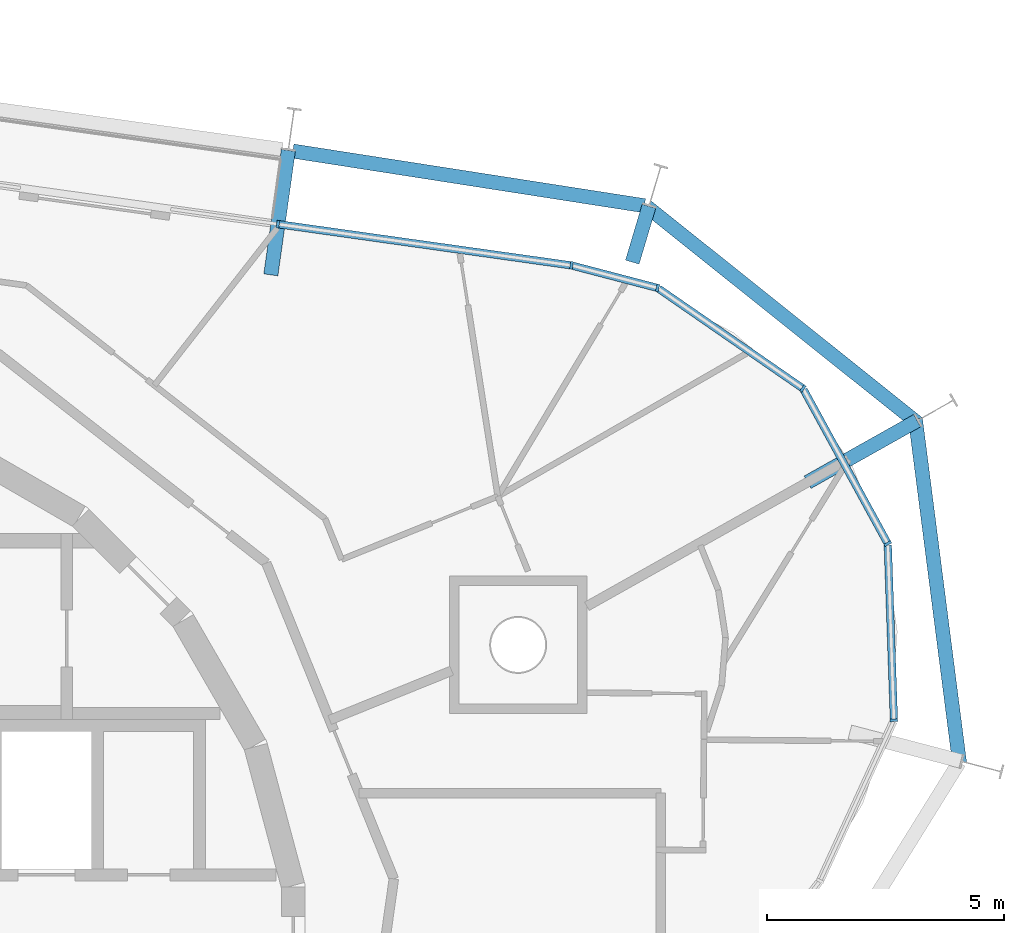
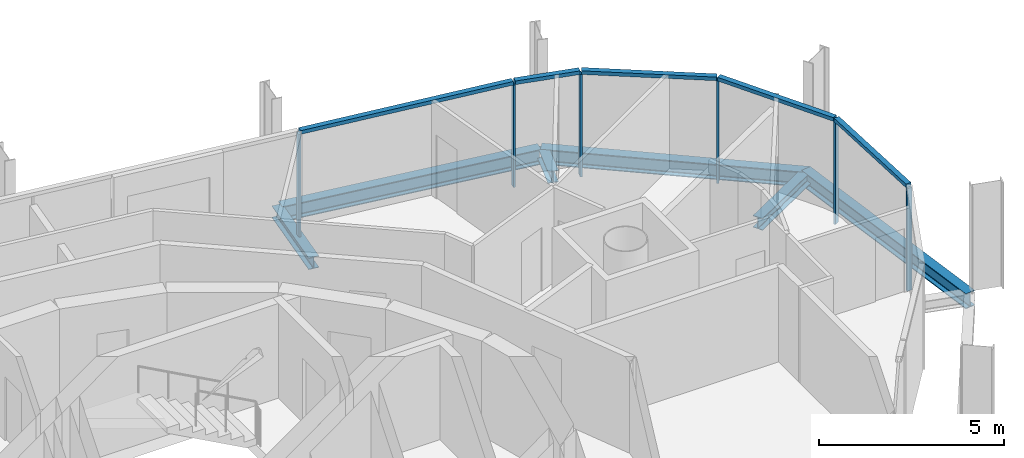
# One storey, part 7 of 15: 11 members, 6 beams, 2 elements without a shape of their own.
"""IFC4 building model written with IfcOpenShell, lengths in metres."""

from ifc_helpers import new_model, si_unit, direction, frame, origin, origin_2d, place, context, subcontext, project, spatial, rectangle, i_section, extrude, material, layer, layer_set, material_profile, profile_set, type_object, element, aggregate, save


model = new_model("IFC4")

# Units and contexts
model_context = context("Model", 3, precision=1e-05, world=origin(), true_north=direction((0.0, 1.0)))
body_context = subcontext(model_context, "Body", "Model", "MODEL_VIEW")
ifc_project = project(units=[si_unit("LENGTHUNIT", "METRE"), si_unit("AREAUNIT", "SQUARE_METRE"), si_unit("VOLUMEUNIT", "CUBIC_METRE"), si_unit("PLANEANGLEUNIT", "RADIAN"), si_unit("MASSUNIT", "GRAM", prefix="KILO")], contexts=[model_context])

# Site, building, storey
site_placement = place(None, origin())
site = spatial("IfcSite", under=ifc_project, at=site_placement, CompositionType="ELEMENT")
building_placement = place(site_placement, origin())
building = spatial("IfcBuilding", under=site, at=building_placement, Name="Spindle Arch Residences", CompositionType="ELEMENT")
storey_placement = place(building_placement, frame((0.0, 0.0, 343.5)))
storey = spatial("IfcBuildingStorey", under=building, at=storey_placement, Name="L88", CompositionType="ELEMENT", Elevation=343.5)

# Curtain wall, members
ifc_material_1 = material(Name="Aluminium bronze unitised frame with tinted glass", Category="aluminium")
ifc_layer_1 = layer(ifc_material_1, 0.159912109375)
ifc_layer_set_1 = layer_set([ifc_layer_1], Name="CW-D corner wall on the fillet arcs")
curtain_wall_type_1 = type_object("IfcCurtainWallType", Name="CW-D corner wall on the fillet arcs", PredefinedType="NOTDEFINED", material=ifc_layer_set_1)
curtain_wall_1_placement = place(storey_placement, origin())
curtain_wall_1 = element("IfcCurtainWall", 1, at=curtain_wall_1_placement, inside=storey, type_object=curtain_wall_type_1, Name="CW-D L88 run 1", PredefinedType="NOTDEFINED")
ifc_material_2 = material(Name="Aluminium bronze anodised mullion", Category="aluminium")
ifc_material_profile_1 = material_profile(ifc_material_2, rectangle(XDim=0.159912109375, YDim=0.06005859375, at=origin_2d()), Name="MU 60x160")
ifc_profile_set_1 = profile_set([ifc_material_profile_1], Name="Aluminium bronze anodised mullion")
member_type_1 = type_object("IfcMemberType", Name="Bronze mullion 60x160", PredefinedType="MULLION", material=ifc_profile_set_1)
member_1_placement = place(storey_placement, frame((24.31201171875, 5.033935546875, -0.3798828125), z_axis=(0.0, 0.0, 1.0), x_axis=(-0.999390827004, -0.034899497139, 0.0)))
member_1 = element("IfcMember", 2, at=member_1_placement, type_object=member_type_1, Name="CW-D mullion 02", PredefinedType="MULLION", context=body_context, shape_type="SweptSolid", body=[
    extrude(rectangle(XDim=0.159912109375, YDim=0.06005859375, at=origin_2d()), origin(), (0.0, 0.0, 1.0), 3.3798828125),
])
member_2_placement = place(storey_placement, frame((24.18212890625, 8.758544921875, -0.3798828125), z_axis=(0.0, 0.0, 1.0), x_axis=(-0.877425397533, -0.479713114021, 0.0)))
member_2 = element("IfcMember", 3, at=member_2_placement, type_object=member_type_1, Name="CW-D mullion 03", PredefinedType="MULLION", context=body_context, shape_type="SweptSolid", body=[
    extrude(rectangle(XDim=0.159912109375, YDim=0.06005859375, at=origin_2d()), origin(), (0.0, 0.0, 1.0), 3.3798828125),
])
member_3_placement = place(storey_placement, frame((22.394287109375, 12.0283203125, -0.3798828125), z_axis=(0.0, 0.0, 1.0), x_axis=(-0.568801123739, -0.822475094841, 0.0)))
member_3 = element("IfcMember", 4, at=member_3_placement, type_object=member_type_1, Name="CW-D mullion 04", PredefinedType="MULLION", context=body_context, shape_type="SweptSolid", body=[
    extrude(rectangle(XDim=0.159912109375, YDim=0.06005859375, at=origin_2d()), origin(), (0.0, 0.0, 1.0), 3.3798828125),
])
member_4_placement = place(storey_placement, frame((19.3291015625, 14.148193359375, -0.3798828125), z_axis=(0.0, 0.0, 1.0), x_axis=(-0.25319517245, -0.967415218326, 0.0)))
member_4 = element("IfcMember", 5, at=member_4_placement, type_object=member_type_1, Name="CW-D mullion 05", PredefinedType="MULLION", context=body_context, shape_type="SweptSolid", body=[
    extrude(rectangle(XDim=0.159912109375, YDim=0.06005859375, at=origin_2d()), origin(), (0.0, 0.0, 1.0), 3.3798828125),
])
member_5_placement = place(storey_placement, frame((17.51416015625, 14.623291015625, -0.3798828125), z_axis=(0.0, 0.0, 1.0), x_axis=(-0.13917310096, -0.990268068742, 0.0)))
member_5 = element("IfcMember", 6, at=member_5_placement, type_object=member_type_1, Name="CW-D mullion 06", PredefinedType="MULLION", context=body_context, shape_type="SweptSolid", body=[
    extrude(rectangle(XDim=0.159912109375, YDim=0.06005859375, at=origin_2d()), origin(), (0.0, 0.0, 1.0), 3.3798828125),
])

# Curtain wall, member
ifc_material_3 = material(Name="Aluminium bronze unitised frame with tinted glass", Category="aluminium")
ifc_layer_2 = layer(ifc_material_3, 0.159912109375)
ifc_layer_set_2 = layer_set([ifc_layer_2], Name="CW-C typical residential unitised wall")
curtain_wall_type_2 = type_object("IfcCurtainWallType", Name="CW-C typical residential unitised wall", PredefinedType="NOTDEFINED", material=ifc_layer_set_2)
curtain_wall_2_placement = place(storey_placement, origin())
curtain_wall_2 = element("IfcCurtainWall", 7, at=curtain_wall_2_placement, inside=storey, type_object=curtain_wall_type_2, Name="CW-C L88 run 2", PredefinedType="NOTDEFINED")
member_6_placement = place(storey_placement, frame((11.326171875, 15.492919921875, -0.3798828125), z_axis=(0.0, 0.0, 1.0), x_axis=(-0.13917310096, -0.990268068742, 0.0)))
member_6 = element("IfcMember", 8, at=member_6_placement, type_object=member_type_1, Name="CW-C mullion 05", PredefinedType="MULLION", context=body_context, shape_type="SweptSolid", body=[
    extrude(rectangle(XDim=0.159912109375, YDim=0.06005859375, at=origin_2d()), origin(), (0.0, 0.0, 1.0), 3.3798828125),
])
aggregate(curtain_wall_2, [member_6])

# Member
ifc_material_4 = material(Name="Aluminium bronze anodised transom", Category="aluminium")
ifc_material_profile_2 = material_profile(ifc_material_4, rectangle(XDim=0.159912109375, YDim=0.1201171875, at=origin_2d()), Name="TR 120x160")
ifc_profile_set_2 = profile_set([ifc_material_profile_2], Name="Aluminium bronze anodised transom")
member_type_2 = type_object("IfcMemberType", Name="Bronze transom 120x160", PredefinedType="USERDEFINED", material=ifc_profile_set_2)
member_7_placement = place(storey_placement, frame((24.31103515625, 5.06396484375, 3.06005859375), z_axis=(-0.034888806725, 0.999391200264, 0.0), x_axis=(-0.999391200264, -0.034888806725, 0.0)))
member_7 = element("IfcMember", 9, at=member_7_placement, type_object=member_type_2, Name="CW-D transom 02", ObjectType="TRANSOM", PredefinedType="USERDEFINED", context=body_context, shape_type="SweptSolid", body=[
    extrude(rectangle(XDim=0.159912109375, YDim=0.1201171875, at=origin_2d()), origin(), (0.0, 0.0, 1.0), 3.666748046875),
])

member_8_placement = place(storey_placement, frame((24.167724609375, 8.784912109375, 3.06005859375), z_axis=(-0.479724247399, 0.877419310511, 0.0), x_axis=(-0.877419310511, -0.479724247399, 0.0)))
member_8 = element("IfcMember", 10, at=member_8_placement, type_object=member_type_2, Name="CW-D transom 03", ObjectType="TRANSOM", PredefinedType="USERDEFINED", context=body_context, shape_type="SweptSolid", body=[
    extrude(rectangle(XDim=0.159912109375, YDim=0.1201171875, at=origin_2d()), origin(), (0.0, 0.0, 1.0), 3.666748046875),
])

member_9_placement = place(storey_placement, frame((22.36962890625, 12.04541015625, 3.06005859375), z_axis=(-0.822474926174, 0.568801367628, 0.0), x_axis=(-0.568801367628, -0.822474926174, 0.0)))
member_9 = element("IfcMember", 11, at=member_9_placement, type_object=member_type_2, Name="CW-D transom 04", ObjectType="TRANSOM", PredefinedType="USERDEFINED", context=body_context, shape_type="SweptSolid", body=[
    extrude(rectangle(XDim=0.159912109375, YDim=0.1201171875, at=origin_2d()), origin(), (0.0, 0.0, 1.0), 3.666748046875),
])

member_10_placement = place(storey_placement, frame((19.300048828125, 14.15576171875, 3.06005859375), z_axis=(-0.96739418578, 0.253275520568, 0.0), x_axis=(-0.253275520568, -0.96739418578, 0.0)))
member_10 = element("IfcMember", 12, at=member_10_placement, type_object=member_type_2, Name="CW-D transom 05", ObjectType="TRANSOM", PredefinedType="USERDEFINED", context=body_context, shape_type="SweptSolid", body=[
    extrude(rectangle(XDim=0.159912109375, YDim=0.1201171875, at=origin_2d()), origin(), (0.0, 0.0, 1.0), 1.816162109375),
])

member_11_placement = place(storey_placement, frame((17.484375, 14.62744140625, 3.06005859375), z_axis=(-0.990267285989, 0.139178670423, 0.0), x_axis=(-0.139178670423, -0.990267285989, 0.0)))
member_11 = element("IfcMember", 13, at=member_11_placement, type_object=member_type_2, Name="CW-D transom 06", ObjectType="TRANSOM", PredefinedType="USERDEFINED", context=body_context, shape_type="SweptSolid", body=[
    extrude(rectangle(XDim=0.159912109375, YDim=0.1201171875, at=origin_2d()), origin(), (0.0, 0.0, 1.0), 6.188720703125),
])

aggregate(curtain_wall_1, [member_1, member_7, member_2, member_8, member_3, member_9, member_4, member_10, member_5, member_11])

# Beams
ifc_material_5 = material(Name="Steel S460ML, intumescent coating R 120", Category="steel")
ifc_material_profile_3 = material_profile(ifc_material_5, i_section(OverallWidth=0.300048828125, OverallDepth=0.5, WebThickness=0.014404296875, FlangeThickness=0.028076171875, FilletRadius=0.027099609375, at=origin_2d()), Name="HEB 500")
ifc_profile_set_3 = profile_set([ifc_material_profile_3], Name="Steel S460ML, intumescent coating R 120")
beam_type_1 = type_object("IfcBeamType", Name="Exoskeleton edge beam HEB 500", PredefinedType="BEAM", material=ifc_profile_set_3)
beam_1_placement = place(storey_placement, frame((25.69580078125, 4.128662109375, -0.6298828125), z_axis=(-0.127344466516, 0.991858551835, 0.0), x_axis=(-0.991858551835, -0.127344466516, 0.0)))
element("IfcBeam", 14, at=beam_1_placement, inside=storey, type_object=beam_type_1, Name="Exoskeleton edge beam 3", PredefinedType="BEAM", context=body_context, shape_type="SweptSolid", body=[
    extrude(i_section(OverallWidth=0.300048828125, OverallDepth=0.5, WebThickness=0.014404296875, FlangeThickness=0.028076171875, FilletRadius=0.027099609375, at=origin_2d()), origin(), (0.0, 0.0, 1.0), 7.31591796875),
])
beam_2_placement = place(storey_placement, frame((24.811279296875, 11.30078125, -0.6298828125), z_axis=(-0.781184527882, 0.624300194937, 0.0), x_axis=(-0.624300194937, -0.781184527882, 0.0)))
element("IfcBeam", 15, at=beam_2_placement, inside=storey, type_object=beam_type_1, Name="Exoskeleton edge beam 4", PredefinedType="BEAM", context=body_context, shape_type="SweptSolid", body=[
    extrude(i_section(OverallWidth=0.300048828125, OverallDepth=0.5, WebThickness=0.014404296875, FlangeThickness=0.028076171875, FilletRadius=0.027099609375, at=origin_2d()), origin(), (0.0, 0.0, 1.0), 7.315673828125),
])
beam_3_placement = place(storey_placement, frame((19.051513671875, 15.881103515625, -0.6298828125), z_axis=(-0.988123169285, 0.15366392655, 0.0), x_axis=(-0.15366392655, -0.988123169285, 0.0)))
element("IfcBeam", 16, at=beam_3_placement, inside=storey, type_object=beam_type_1, Name="Exoskeleton edge beam 5", PredefinedType="BEAM", context=body_context, shape_type="SweptSolid", body=[
    extrude(i_section(OverallWidth=0.300048828125, OverallDepth=0.5, WebThickness=0.014404296875, FlangeThickness=0.028076171875, FilletRadius=0.027099609375, at=origin_2d()), origin(), (0.0, 0.0, 1.0), 7.500732421875),
])
ifc_material_6 = material(Name="Steel S460ML, intumescent coating R 120", Category="steel")
ifc_material_profile_4 = material_profile(ifc_material_6, i_section(OverallWidth=0.300048828125, OverallDepth=0.389892578125, WebThickness=0.010986328125, FlangeThickness=0.01904296875, FilletRadius=0.027099609375, at=origin_2d()), Name="HEA 400")
ifc_profile_set_4 = profile_set([ifc_material_profile_4], Name="Steel S460ML, intumescent coating R 120")
beam_type_2 = type_object("IfcBeamType", Name="Floor outrigger HEA 400", PredefinedType="BEAM", material=ifc_profile_set_4)
beam_4_placement = place(storey_placement, frame((24.801513671875, 11.3505859375, -0.574951171875), z_axis=(-0.871686240554, -0.490064381514, 0.0), x_axis=(0.490064381514, -0.871686240554, 0.0)))
element("IfcBeam", 17, at=beam_4_placement, inside=storey, type_object=beam_type_2, Name="Floor outrigger 4", PredefinedType="BEAM", context=body_context, shape_type="SweptSolid", body=[
    extrude(i_section(OverallWidth=0.300048828125, OverallDepth=0.389892578125, WebThickness=0.010986328125, FlangeThickness=0.01904296875, FilletRadius=0.027099609375, at=origin_2d()), origin(), (0.0, 0.0, 1.0), 2.64990234375),
])
beam_5_placement = place(storey_placement, frame((19.147216796875, 15.869384765625, -0.574951171875), z_axis=(-0.285798722121, -0.958289669377, 0.0), x_axis=(0.958289669377, -0.285798722121, 0.0)))
element("IfcBeam", 18, at=beam_5_placement, inside=storey, type_object=beam_type_2, Name="Floor outrigger 5", PredefinedType="BEAM", context=body_context, shape_type="SweptSolid", body=[
    extrude(i_section(OverallWidth=0.300048828125, OverallDepth=0.389892578125, WebThickness=0.010986328125, FlangeThickness=0.01904296875, FilletRadius=0.027099609375, at=origin_2d()), origin(), (0.0, 0.0, 1.0), 1.229248046875),
])
beam_6_placement = place(storey_placement, frame((11.544921875, 17.047607421875, -0.574951171875), z_axis=(-0.1392026036, -0.990263921968, 0.0), x_axis=(0.990263921968, -0.1392026036, 0.0)))
element("IfcBeam", 19, at=beam_6_placement, inside=storey, type_object=beam_type_2, Name="Floor outrigger 6", PredefinedType="BEAM", context=body_context, shape_type="SweptSolid", body=[
    extrude(i_section(OverallWidth=0.300048828125, OverallDepth=0.389892578125, WebThickness=0.010986328125, FlangeThickness=0.01904296875, FilletRadius=0.027099609375, at=origin_2d()), origin(), (0.0, 0.0, 1.0), 2.650146484375),
])

save(model, "model.ifc")
